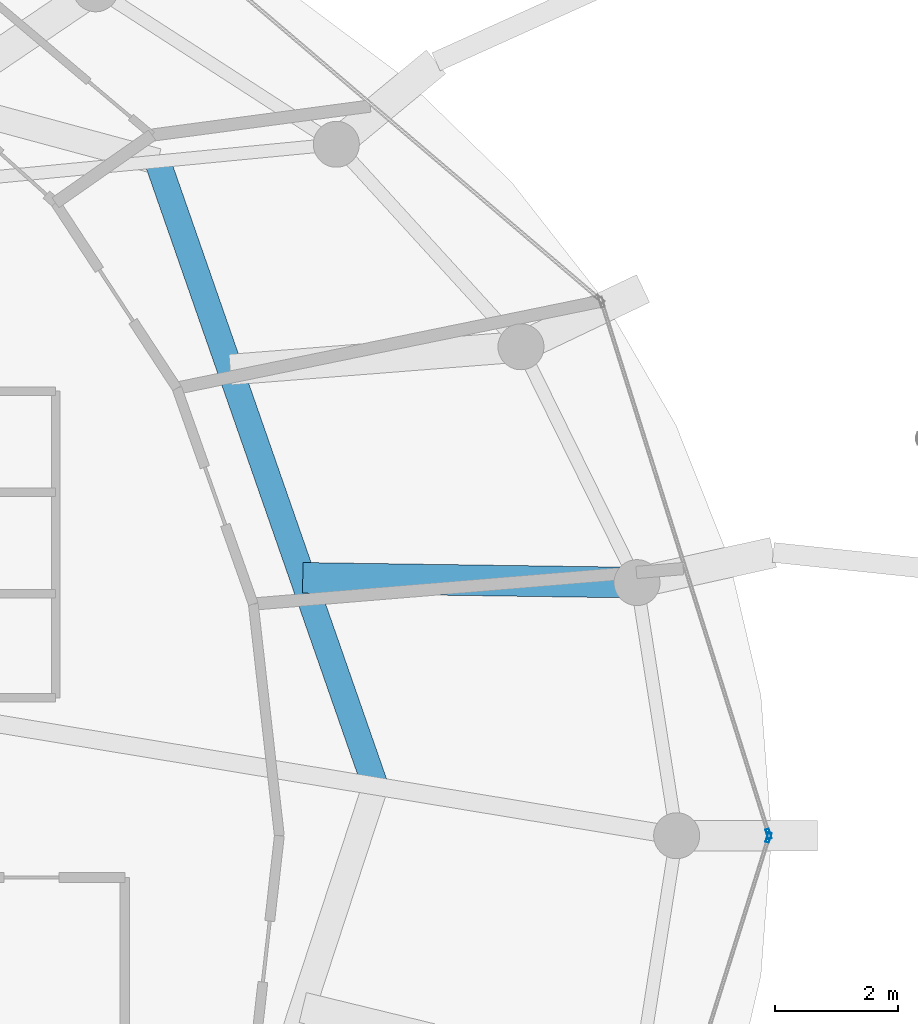
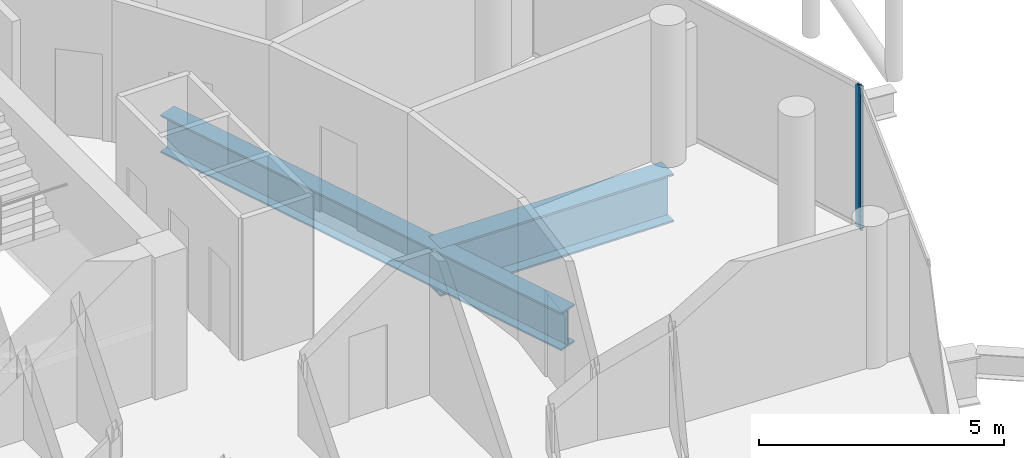
# One storey, part 13 of 25: 2 beams, 2 members, 2 elements without a shape of their own.
"""IFC4 building model written with IfcOpenShell, lengths in metres."""

from ifc_helpers import new_model, si_unit, direction, frame, origin, origin_2d, place, context, subcontext, project, spatial, hollow_rectangle, i_section, extrude, material, layer, layer_set, material_profile, profile_set, type_object, element, aggregate, save


model = new_model("IFC4")

# Units and contexts
model_context = context("Model", 3, precision=1e-05, world=origin(), true_north=direction((0.0, 1.0)))
body_context = subcontext(model_context, "Body", "Model", "MODEL_VIEW")
ifc_project = project(units=[si_unit("LENGTHUNIT", "METRE"), si_unit("AREAUNIT", "SQUARE_METRE"), si_unit("VOLUMEUNIT", "CUBIC_METRE"), si_unit("PLANEANGLEUNIT", "RADIAN"), si_unit("MASSUNIT", "GRAM", prefix="KILO")], contexts=[model_context])

# Site, building, storey
site_placement = place(None, origin())
site = spatial("IfcSite", under=ifc_project, at=site_placement, CompositionType="ELEMENT")
building_placement = place(site_placement, origin())
building = spatial("IfcBuilding", under=site, at=building_placement, Name="Nuhasar Tower", CompositionType="ELEMENT")
storey_placement = place(building_placement, frame((0.0, 0.0, 255.60009765625)))
storey = spatial("IfcBuildingStorey", under=building, at=storey_placement, Name="L63", CompositionType="ELEMENT", Elevation=255.60009765625)

# Beams
ifc_material_1 = material(Name="Steel S460", Category="steel")
ifc_material_profile_1 = material_profile(ifc_material_1, i_section(OverallWidth=0.423095703125, OverallDepth=0.947998046875, WebThickness=0.02392578125, FlangeThickness=0.042724609375, at=origin_2d()), Name="W36X302")
ifc_profile_set_1 = profile_set([ifc_material_profile_1], Name="Steel S460")
beam_type_1 = type_object("IfcBeamType", Name="BM-TMD-W36X302", PredefinedType="USERDEFINED", material=ifc_profile_set_1)
beam_1_placement = place(storey_placement, frame((53.035888671875, 27.610107421875, -0.734130859375), z_axis=(-0.329211236979, 0.944256300718, 0.0), x_axis=(-0.944256300718, -0.329211236979, 0.0)))
element("IfcBeam", 1, at=beam_1_placement, inside=storey, type_object=beam_type_1, Name="L63 Inner Header Beam 04", ObjectType="GIRDER", PredefinedType="USERDEFINED", context=body_context, shape_type="SweptSolid", body=[
    extrude(i_section(OverallWidth=0.423095703125, OverallDepth=0.947998046875, WebThickness=0.02392578125, FlangeThickness=0.042724609375, at=origin_2d()), origin(), (0.0, 0.0, 1.0), 10.78955078125),
])
ifc_material_profile_2 = material_profile(ifc_material_1, i_section(OverallWidth=0.5, OverallDepth=1.199951171875, WebThickness=0.02587890625, FlangeThickness=0.044921875, at=origin_2d()), Name="PG1200X500")
ifc_profile_set_2 = profile_set([ifc_material_profile_2], Name="Steel S460")
beam_type_2 = type_object("IfcBeamType", Name="BM-XFER-PG1200", PredefinedType="USERDEFINED", material=ifc_profile_set_2)
beam_2_placement = place(storey_placement, frame((51.85205078125, 31.006103515625, -0.860107421875), z_axis=(0.999897343432, -0.014328384304, 0.0), x_axis=(0.014328384304, 0.999897343432, 0.0)))
element("IfcBeam", 2, at=beam_2_placement, inside=storey, type_object=beam_type_2, Name="L63 Inner Column Transfer Girder 02", ObjectType="GIRDER", PredefinedType="USERDEFINED", context=body_context, shape_type="SweptSolid", body=[
    extrude(i_section(OverallWidth=0.5, OverallDepth=1.199951171875, WebThickness=0.02587890625, FlangeThickness=0.044921875, at=origin_2d()), origin(), (0.0, 0.0, 1.0), 5.452392578125),
])

# Curtain wall, member
ifc_material_2 = material(Name="Aluminium 6063-T6", Category="aluminium")
ifc_layer = layer(ifc_material_2, 0.18994140625)
ifc_layer_set = layer_set([ifc_layer], Name="Aluminium 6063-T6")
curtain_wall_type = type_object("IfcCurtainWallType", Name="CW-Z4-PEN", PredefinedType="NOTDEFINED", material=ifc_layer_set)
curtain_wall_1_placement = place(storey_placement, origin())
curtain_wall_1 = element("IfcCurtainWall", 3, at=curtain_wall_1_placement, inside=storey, type_object=curtain_wall_type, Name="L63 Unitised Curtain Wall 01", PredefinedType="NOTDEFINED")
ifc_material_profile_3 = material_profile(ifc_material_2, hollow_rectangle(XDim=0.06005859375, YDim=0.1650390625, WallThickness=0.0048828125, at=origin_2d()), Name="CWM-5")
ifc_profile_set_3 = profile_set([ifc_material_profile_3], Name="Aluminium 6063-T6")
member_type = type_object("IfcMemberType", Name="CW-MUL-S5", PredefinedType="MULLION", material=ifc_profile_set_3)
member_1_placement = place(storey_placement, frame((59.450927734375, 26.82861328125, 0.0), z_axis=(0.0, 0.0, 1.0), x_axis=(-0.954078526601, -0.299556614146, 0.0)))
member_1 = element("IfcMember", 4, at=member_1_placement, type_object=member_type, Name="CW-Z4 mullion 1", PredefinedType="MULLION", context=body_context, shape_type="SweptSolid", body=[
    extrude(hollow_rectangle(XDim=0.06005859375, YDim=0.1650390625, WallThickness=0.0048828125, at=origin_2d()), origin(), (0.0, 0.0, 1.0), 3.539794921875),
])
aggregate(curtain_wall_1, [member_1])

curtain_wall_2_placement = place(storey_placement, origin())
curtain_wall_2 = element("IfcCurtainWall", 5, at=curtain_wall_2_placement, inside=storey, type_object=curtain_wall_type, Name="L63 Unitised Curtain Wall 12", PredefinedType="NOTDEFINED")
member_2_placement = place(storey_placement, frame((59.450927734375, 26.771484375, 0.0), z_axis=(0.0, 0.0, 1.0), x_axis=(-0.954078526601, 0.299556614146, 0.0)))
member_2 = element("IfcMember", 6, at=member_2_placement, type_object=member_type, Name="CW-Z4 mullion 2", PredefinedType="MULLION", context=body_context, shape_type="SweptSolid", body=[
    extrude(hollow_rectangle(XDim=0.06005859375, YDim=0.1650390625, WallThickness=0.0048828125, at=origin_2d()), origin(), (0.0, 0.0, 1.0), 3.539794921875),
])
aggregate(curtain_wall_2, [member_2])

save(model, "model.ifc")
